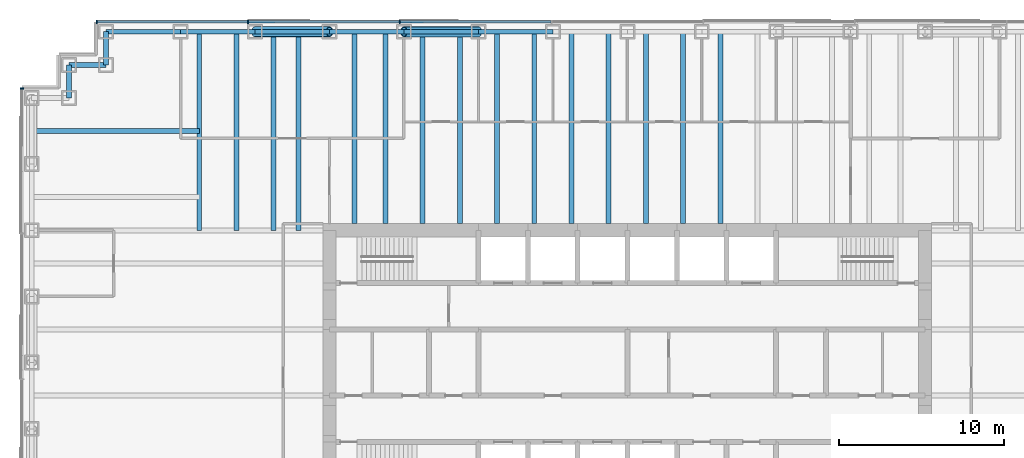
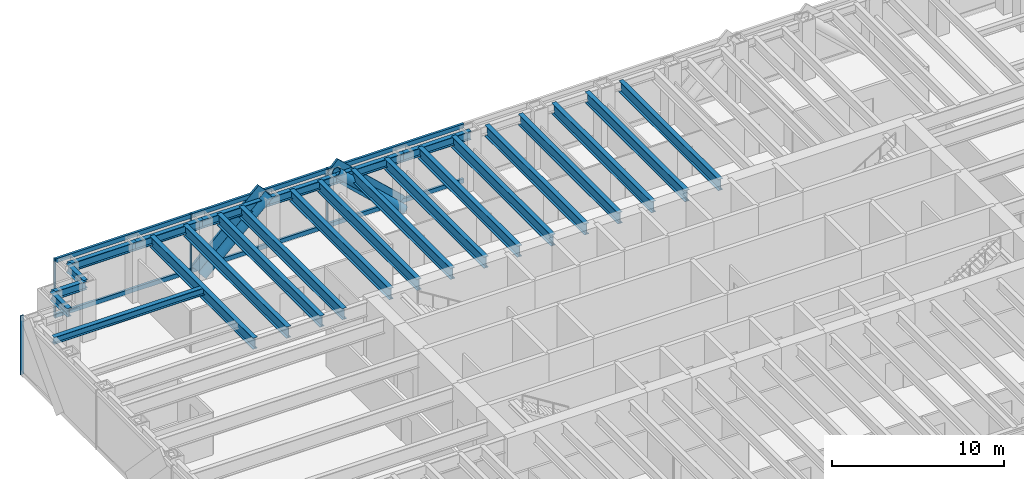
# One storey, part 5 of 14: 25 beams, 14 members, 2 elements without a shape of their own.
"""IFC4 building model written with IfcOpenShell, lengths in metres."""

from ifc_helpers import new_model, si_unit, direction, frame, origin, origin_2d, place, context, subcontext, project, spatial, rectangle, hollow_circle, i_section, extrude, material, material_profile, profile_set, type_object, element, aggregate, save


model = new_model("IFC4")

# Units and contexts
model_context = context("Model", 3, precision=1e-05, world=origin(), true_north=direction((0.0, 1.0)))
body_context = subcontext(model_context, "Body", "Model", "MODEL_VIEW")
ifc_project = project(units=[si_unit("LENGTHUNIT", "METRE"), si_unit("AREAUNIT", "SQUARE_METRE"), si_unit("VOLUMEUNIT", "CUBIC_METRE"), si_unit("PLANEANGLEUNIT", "RADIAN"), si_unit("MASSUNIT", "GRAM", prefix="KILO")], contexts=[model_context])

# Site, building, storey
site_placement = place(None, origin())
site = spatial("IfcSite", under=ifc_project, at=site_placement, CompositionType="ELEMENT")
building_placement = place(site_placement, origin())
building = spatial("IfcBuilding", under=site, at=building_placement, Name="Rheinbord Bourse Tower", CompositionType="ELEMENT")
storey_placement = place(building_placement, frame((0.0, 0.0, 194.199951171875)))
storey = spatial("IfcBuildingStorey", under=building, at=storey_placement, Name="L43", CompositionType="ELEMENT", Elevation=194.199951171875)

# Curtain wall, members
ifc_material_1 = material(Name="Dark glass and black aluminium", Category="aluminium")
curtain_wall_type = type_object("IfcCurtainWallType", Name="CW2 DARK GLASS CURTAIN WALL", PredefinedType="USERDEFINED", material=ifc_material_1)
curtain_wall_1_placement = place(storey_placement, origin())
curtain_wall_1 = element("IfcCurtainWall", 1, at=curtain_wall_1_placement, inside=storey, type_object=curtain_wall_type, Name="Curtain wall CW2 N L43", ObjectType="UNITISED CURTAIN WALL", PredefinedType="USERDEFINED")
ifc_material_2 = material(Name="Black anodised aluminium", Category="aluminium")
ifc_material_profile_1 = material_profile(ifc_material_2, rectangle(XDim=0.159912109375, YDim=1.2099609375, at=origin_2d()), Name="CW2 DIAGONAL MULLION 1210x160")
ifc_profile_set_1 = profile_set([ifc_material_profile_1], Name="Black anodised aluminium")
member_type_1 = type_object("IfcMemberType", Name="CW2 BLACK DIAGONAL MULLION", PredefinedType="USERDEFINED", material=ifc_profile_set_1)
member_1_placement = place(storey_placement, frame((13.5, 44.60009765625, 0.0), z_axis=(0.73105922506, 0.0, 0.682314010889), x_axis=(0.0, 1.0, 0.0)))
member_1 = element("IfcMember", 2, at=member_1_placement, type_object=member_type_1, Name="CW2 diagonal mullion b", ObjectType="DIAGONAL MULLION", PredefinedType="USERDEFINED", context=body_context, shape_type="SweptSolid", body=[
    extrude(rectangle(XDim=0.159912109375, YDim=1.2099609375, at=origin_2d()), origin(), (0.0, 0.0, 1.0), 6.155517578125),
])
member_2_placement = place(storey_placement, frame((27.0, 44.60009765625, 0.0), z_axis=(-0.73105922506, 0.0, 0.682314010889), x_axis=(0.0, -1.0, 0.0)))
member_2 = element("IfcMember", 3, at=member_2_placement, type_object=member_type_1, Name="CW2 diagonal mullion c", ObjectType="DIAGONAL MULLION", PredefinedType="USERDEFINED", context=body_context, shape_type="SweptSolid", body=[
    extrude(rectangle(XDim=0.159912109375, YDim=1.2099609375, at=origin_2d()), origin(), (0.0, 0.0, 1.0), 6.155517578125),
])
ifc_material_3 = material(Name="Black anodised aluminium", Category="aluminium")
ifc_material_profile_2 = material_profile(ifc_material_3, rectangle(XDim=0.219970703125, YDim=0.070068359375, at=origin_2d()), Name="CW2 MULLION 70x220")
ifc_profile_set_2 = profile_set([ifc_material_profile_2], Name="Black anodised aluminium")
member_type_2 = type_object("IfcMemberType", Name="CW2 BLACK MULLION", PredefinedType="MULLION", material=ifc_profile_set_2)
member_3_placement = place(storey_placement, frame((22.242919921875, 44.60009765625, 0.0), z_axis=(0.0, 0.0, 1.0), x_axis=(0.0, -1.0, 0.0)))
member_3 = element("IfcMember", 4, at=member_3_placement, type_object=member_type_2, Name="CW2 mullion 6", PredefinedType="MULLION", context=body_context, shape_type="SweptSolid", body=[
    extrude(rectangle(XDim=0.219970703125, YDim=0.070068359375, at=origin_2d()), origin(), (0.0, 0.0, 1.0), 4.199951171875),
])
member_4_placement = place(storey_placement, frame((13.071533203125, 44.60009765625, 0.0), z_axis=(0.0, 0.0, 1.0), x_axis=(0.0, -1.0, 0.0)))
member_4 = element("IfcMember", 5, at=member_4_placement, type_object=member_type_2, Name="CW2 mullion 7", PredefinedType="MULLION", context=body_context, shape_type="SweptSolid", body=[
    extrude(rectangle(XDim=0.219970703125, YDim=0.070068359375, at=origin_2d()), origin(), (0.0, 0.0, 1.0), 4.199951171875),
])
member_5_placement = place(storey_placement, frame((3.93505859375, 44.60009765625, 0.0), z_axis=(0.0, 0.0, 1.0), x_axis=(0.0, -1.0, 0.0)))
member_5 = element("IfcMember", 6, at=member_5_placement, type_object=member_type_2, Name="CW2 mullion 8", PredefinedType="MULLION", context=body_context, shape_type="SweptSolid", body=[
    extrude(rectangle(XDim=0.219970703125, YDim=0.070068359375, at=origin_2d()), origin(), (0.0, 0.0, 1.0), 4.199951171875),
])

# Curtain wall, member
curtain_wall_2_placement = place(storey_placement, origin())
curtain_wall_2 = element("IfcCurtainWall", 7, at=curtain_wall_2_placement, inside=storey, type_object=curtain_wall_type, Name="Curtain wall CW2 W L43", ObjectType="UNITISED CURTAIN WALL", PredefinedType="USERDEFINED")
member_6_placement = place(storey_placement, frame((-0.60009765625, 40.56494140625, 0.0), z_axis=(0.0, 0.0, 1.0), x_axis=(1.0, 0.0, 0.0)))
member_6 = element("IfcMember", 8, at=member_6_placement, type_object=member_type_2, Name="CW2 mullion 1", PredefinedType="MULLION", context=body_context, shape_type="SweptSolid", body=[
    extrude(rectangle(XDim=0.219970703125, YDim=0.070068359375, at=origin_2d()), origin(), (0.0, 0.0, 1.0), 4.199951171875),
])
aggregate(curtain_wall_2, [member_6])

# Member
ifc_material_4 = material(Name="Black anodised aluminium", Category="aluminium")
ifc_material_profile_3 = material_profile(ifc_material_4, rectangle(XDim=0.159912109375, YDim=0.300048828125, at=origin_2d()), Name="CW2 TRANSOM 300x160")
ifc_profile_set_3 = profile_set([ifc_material_profile_3], Name="Black anodised aluminium")
member_type_3 = type_object("IfcMemberType", Name="CW2 BLACK TRANSOM", PredefinedType="USERDEFINED", material=ifc_profile_set_3)
member_7_placement = place(storey_placement, frame((31.37939453125, 44.60009765625, 0.150146484375), z_axis=(-1.0, 0.0, 0.0), x_axis=(0.0, -1.0, 0.0)))
member_7 = element("IfcMember", 9, at=member_7_placement, type_object=member_type_3, Name="CW2 transom 5.1", ObjectType="TRANSOM", PredefinedType="USERDEFINED", context=body_context, shape_type="SweptSolid", body=[
    extrude(rectangle(XDim=0.159912109375, YDim=0.300048828125, at=origin_2d()), origin(), (0.0, 0.0, 1.0), 9.1015625),
])

member_8_placement = place(storey_placement, frame((31.37939453125, 44.60009765625, 4.050048828125), z_axis=(-1.0, 0.0, 0.0), x_axis=(0.0, -1.0, 0.0)))
member_8 = element("IfcMember", 10, at=member_8_placement, type_object=member_type_3, Name="CW2 transom 5.2", ObjectType="TRANSOM", PredefinedType="USERDEFINED", context=body_context, shape_type="SweptSolid", body=[
    extrude(rectangle(XDim=0.159912109375, YDim=0.300048828125, at=origin_2d()), origin(), (0.0, 0.0, 1.0), 9.1015625),
])

member_9_placement = place(storey_placement, frame((22.207763671875, 44.60009765625, 0.150146484375), z_axis=(-1.0, 0.0, 0.0), x_axis=(0.0, -1.0, 0.0)))
member_9 = element("IfcMember", 11, at=member_9_placement, type_object=member_type_3, Name="CW2 transom 6.1", ObjectType="TRANSOM", PredefinedType="USERDEFINED", context=body_context, shape_type="SweptSolid", body=[
    extrude(rectangle(XDim=0.159912109375, YDim=0.300048828125, at=origin_2d()), origin(), (0.0, 0.0, 1.0), 9.101318359375),
])

member_10_placement = place(storey_placement, frame((22.207763671875, 44.60009765625, 4.050048828125), z_axis=(-1.0, 0.0, 0.0), x_axis=(0.0, -1.0, 0.0)))
member_10 = element("IfcMember", 12, at=member_10_placement, type_object=member_type_3, Name="CW2 transom 6.2", ObjectType="TRANSOM", PredefinedType="USERDEFINED", context=body_context, shape_type="SweptSolid", body=[
    extrude(rectangle(XDim=0.159912109375, YDim=0.300048828125, at=origin_2d()), origin(), (0.0, 0.0, 1.0), 9.101318359375),
])

member_11_placement = place(storey_placement, frame((13.036376953125, 44.60009765625, 0.150146484375), z_axis=(-1.0, 0.0, 0.0), x_axis=(0.0, -1.0, 0.0)))
member_11 = element("IfcMember", 13, at=member_11_placement, type_object=member_type_3, Name="CW2 transom 7.1", ObjectType="TRANSOM", PredefinedType="USERDEFINED", context=body_context, shape_type="SweptSolid", body=[
    extrude(rectangle(XDim=0.159912109375, YDim=0.300048828125, at=origin_2d()), origin(), (0.0, 0.0, 1.0), 9.06640625),
])

member_12_placement = place(storey_placement, frame((13.036376953125, 44.60009765625, 4.050048828125), z_axis=(-1.0, 0.0, 0.0), x_axis=(0.0, -1.0, 0.0)))
member_12 = element("IfcMember", 14, at=member_12_placement, type_object=member_type_3, Name="CW2 transom 7.2", ObjectType="TRANSOM", PredefinedType="USERDEFINED", context=body_context, shape_type="SweptSolid", body=[
    extrude(rectangle(XDim=0.159912109375, YDim=0.300048828125, at=origin_2d()), origin(), (0.0, 0.0, 1.0), 9.06640625),
])

aggregate(curtain_wall_1, [member_3, member_4, member_5, member_7, member_8, member_9, member_10, member_11, member_12, member_1, member_2])

# Beams
ifc_material_5 = material(Name="Steel S460", Category="steel")
ifc_material_profile_4 = material_profile(ifc_material_5, i_section(OverallWidth=0.300048828125, OverallDepth=0.800048828125, WebThickness=0.017578125, FlangeThickness=0.032958984375, at=origin_2d()), Name="HEB 800")
ifc_profile_set_4 = profile_set([ifc_material_profile_4], Name="Steel S460")
beam_type_1 = type_object("IfcBeamType", Name="FLOOR BEAM HEB 800", PredefinedType="BEAM", material=ifc_profile_set_4)
for number, where, z_axis, x_axis, name in (
    (15, (10.125, 44.0, 3.64013671875), (0.0, -1.0, 0.0), (1.0, 0.0, 0.0), "Floor beam N-9a L44"),
    (16, (12.375, 44.0, 3.64013671875), (0.0, -1.0, 0.0), (1.0, 0.0, 0.0), "Floor beam N-9b L44"),
    (17, (14.625, 44.0, 3.64013671875), (0.0, -1.0, 0.0), (1.0, 0.0, 0.0), "Floor beam N-13.5a L44"),
    (18, (16.125, 44.0, 3.64013671875), (0.0, -1.0, 0.0), (1.0, 0.0, 0.0), "Floor beam N-13.5b L44"),
):
    element("IfcBeam", number, at=place(storey_placement, frame(where, z_axis=z_axis, x_axis=x_axis)), inside=storey, type_object=beam_type_1, Name=name, PredefinedType="BEAM", context=body_context, shape_type="SweptSolid", body=[
        extrude(i_section(OverallWidth=0.300048828125, OverallDepth=0.800048828125, WebThickness=0.017578125, FlangeThickness=0.032958984375, at=origin_2d()), origin(), (0.0, 0.0, 1.0), 12.0),
    ])
for number, where, z_axis, x_axis, name in (
    (19, (19.5, 44.0, 3.64013671875), (0.0, -1.0, 0.0), (1.0, 0.0, 0.0), "Floor beam N-18a L44"),
    (20, (21.375, 44.0, 3.64013671875), (0.0, -1.0, 0.0), (1.0, 0.0, 0.0), "Floor beam N-18b L44"),
    (21, (23.625, 44.0, 3.64013671875), (0.0, -1.0, 0.0), (1.0, 0.0, 0.0), "Floor beam N-22.5a L44"),
    (22, (25.875, 44.0, 3.64013671875), (0.0, -1.0, 0.0), (1.0, 0.0, 0.0), "Floor beam N-22.5b L44"),
    (23, (28.125, 44.0, 3.64013671875), (0.0, -1.0, 0.0), (1.0, 0.0, 0.0), "Floor beam N-27a L44"),
    (24, (30.375, 44.0, 3.64013671875), (0.0, -1.0, 0.0), (1.0, 0.0, 0.0), "Floor beam N-27b L44"),
    (25, (32.625, 44.0, 3.64013671875), (0.0, -1.0, 0.0), (1.0, 0.0, 0.0), "Floor beam N-31.5a L44"),
    (26, (34.875, 44.0, 3.64013671875), (0.0, -1.0, 0.0), (1.0, 0.0, 0.0), "Floor beam N-31.5b L44"),
    (27, (37.125, 44.0, 3.64013671875), (0.0, -1.0, 0.0), (1.0, 0.0, 0.0), "Floor beam N-36a L44"),
    (28, (39.375, 44.0, 3.64013671875), (0.0, -1.0, 0.0), (1.0, 0.0, 0.0), "Floor beam N-36b L44"),
    (29, (41.625, 44.0, 3.64013671875), (0.0, -1.0, 0.0), (1.0, 0.0, 0.0), "Floor beam N-40.5a L44"),
):
    element("IfcBeam", number, at=place(storey_placement, frame(where, z_axis=z_axis, x_axis=x_axis)), inside=storey, type_object=beam_type_1, Name=name, PredefinedType="BEAM", context=body_context, shape_type="SweptSolid", body=[
        extrude(i_section(OverallWidth=0.300048828125, OverallDepth=0.800048828125, WebThickness=0.017578125, FlangeThickness=0.032958984375, at=origin_2d()), origin(), (0.0, 0.0, 1.0), 11.60009765625),
    ])

# Members
ifc_material_6 = material(Name="Steel S460", Category="steel")
ifc_material_profile_5 = material_profile(ifc_material_6, hollow_circle(Radius=0.304931640625, WallThickness=0.0400390625, at=origin_2d()), Name="CHS 610x40")
ifc_profile_set_5 = profile_set([ifc_material_profile_5], Name="Steel S460")
member_type_4 = type_object("IfcMemberType", Name="MEGABRACE CHS 610x40", PredefinedType="BRACE", material=ifc_profile_set_5)
for number, where, z_axis, x_axis, name in (
    (30, (13.5, 44.0, 0.0), (0.73105922506, 0.0, 0.682314010889), (0.0, 1.0, 0.0), "Megabrace N face line b L43"),
    (31, (27.0, 44.0, 0.0), (-0.73105922506, 0.0, 0.682314010889), (0.0, -1.0, 0.0), "Megabrace N face line c L43"),
):
    element("IfcMember", number, at=place(storey_placement, frame(where, z_axis=z_axis, x_axis=x_axis)), inside=storey, type_object=member_type_4, Name=name, PredefinedType="BRACE", context=body_context, shape_type="SweptSolid", body=[
        extrude(hollow_circle(Radius=0.304931640625, WallThickness=0.0400390625, at=origin_2d()), origin(), (0.0, 0.0, 1.0), 6.155517578125),
    ])

# Beams
ifc_material_7 = material(Name="Steel S460", Category="steel")
ifc_material_profile_6 = material_profile(ifc_material_7, i_section(OverallWidth=0.300048828125, OverallDepth=0.60009765625, WebThickness=0.015380859375, FlangeThickness=0.030029296875, at=origin_2d()), Name="HEB 600")
ifc_profile_set_6 = profile_set([ifc_material_profile_6], Name="Steel S460")
beam_type_2 = type_object("IfcBeamType", Name="SPANDREL HEB 600", PredefinedType="SPANDREL", material=ifc_profile_set_6)
for number, where, z_axis, x_axis, name in (
    (32, (31.5, 44.0, 3.739990234375), (-1.0, 0.0, 0.0), (0.0, -1.0, 0.0), "Spandrel N-31.5-N-27 under L44"),
    (33, (27.0, 44.0, 3.739990234375), (-1.0, 0.0, 0.0), (0.0, -1.0, 0.0), "Spandrel N-27-N-22.5 under L44"),
    (34, (22.5, 44.0, 3.739990234375), (-1.0, 0.0, 0.0), (0.0, -1.0, 0.0), "Spandrel N-22.5-N-18 under L44"),
    (35, (18.0, 44.0, 3.739990234375), (-1.0, 0.0, 0.0), (0.0, -1.0, 0.0), "Spandrel N-18-N-13.5 under L44"),
    (36, (13.5, 44.0, 3.739990234375), (-1.0, 0.0, 0.0), (0.0, -1.0, 0.0), "Spandrel N-13.5-N-9 under L44"),
    (37, (9.0, 44.0, 3.739990234375), (-1.0, 0.0, 0.0), (0.0, -1.0, 0.0), "Spandrel N-9-NW-E under L44"),
):
    element("IfcBeam", number, at=place(storey_placement, frame(where, z_axis=z_axis, x_axis=x_axis)), inside=storey, type_object=beam_type_2, Name=name, PredefinedType="SPANDREL", context=body_context, shape_type="SweptSolid", body=[
        extrude(i_section(OverallWidth=0.300048828125, OverallDepth=0.60009765625, WebThickness=0.015380859375, FlangeThickness=0.030029296875, at=origin_2d()), origin(), (0.0, 0.0, 1.0), 4.5),
    ])
beam_1_placement = place(storey_placement, frame((4.5, 44.0, 3.739990234375), z_axis=(0.0, -1.0, 0.0), x_axis=(1.0, 0.0, 0.0)))
element("IfcBeam", 38, at=beam_1_placement, inside=storey, type_object=beam_type_2, Name="Spandrel NW-E-NW-D under L44", PredefinedType="SPANDREL", context=body_context, shape_type="SweptSolid", body=[
    extrude(i_section(OverallWidth=0.300048828125, OverallDepth=0.60009765625, WebThickness=0.015380859375, FlangeThickness=0.030029296875, at=origin_2d()), origin(), (0.0, 0.0, 1.0), 2.0),
])
beam_2_placement = place(storey_placement, frame((4.5, 42.0, 3.739990234375), z_axis=(-1.0, 0.0, 0.0), x_axis=(0.0, -1.0, 0.0)))
element("IfcBeam", 39, at=beam_2_placement, inside=storey, type_object=beam_type_2, Name="Spandrel NW-D-NW-C under L44", PredefinedType="SPANDREL", context=body_context, shape_type="SweptSolid", body=[
    extrude(i_section(OverallWidth=0.300048828125, OverallDepth=0.60009765625, WebThickness=0.015380859375, FlangeThickness=0.030029296875, at=origin_2d()), origin(), (0.0, 0.0, 1.0), 2.25),
])
beam_3_placement = place(storey_placement, frame((2.25, 42.0, 3.739990234375), z_axis=(0.0, -1.0, 0.0), x_axis=(1.0, 0.0, 0.0)))
element("IfcBeam", 40, at=beam_3_placement, inside=storey, type_object=beam_type_2, Name="Spandrel NW-C-NW-B under L44", PredefinedType="SPANDREL", context=body_context, shape_type="SweptSolid", body=[
    extrude(i_section(OverallWidth=0.300048828125, OverallDepth=0.60009765625, WebThickness=0.015380859375, FlangeThickness=0.030029296875, at=origin_2d()), origin(), (0.0, 0.0, 1.0), 2.0),
])
ifc_material_8 = material(Name="Steel S460", Category="steel")
ifc_material_profile_7 = material_profile(ifc_material_8, i_section(OverallWidth=0.300048828125, OverallDepth=0.5, WebThickness=0.014404296875, FlangeThickness=0.028076171875, at=origin_2d()), Name="HEB 500")
ifc_profile_set_7 = profile_set([ifc_material_profile_7], Name="Steel S460")
beam_type_3 = type_object("IfcBeamType", Name="TIE BEAM HEB 500", PredefinedType="JOIST", material=ifc_profile_set_7)
beam_4_placement = place(storey_placement, frame((0.0, 38.0, 3.7900390625), z_axis=(1.0, 0.0, 0.0), x_axis=(0.0, 1.0, 0.0)))
element("IfcBeam", 41, at=beam_4_placement, inside=storey, type_object=beam_type_3, Name="Tie west 38 L44", PredefinedType="JOIST", context=body_context, shape_type="SweptSolid", body=[
    extrude(i_section(OverallWidth=0.300048828125, OverallDepth=0.5, WebThickness=0.014404296875, FlangeThickness=0.028076171875, at=origin_2d()), origin(), (0.0, 0.0, 1.0), 10.125),
])

save(model, "model.ifc")
